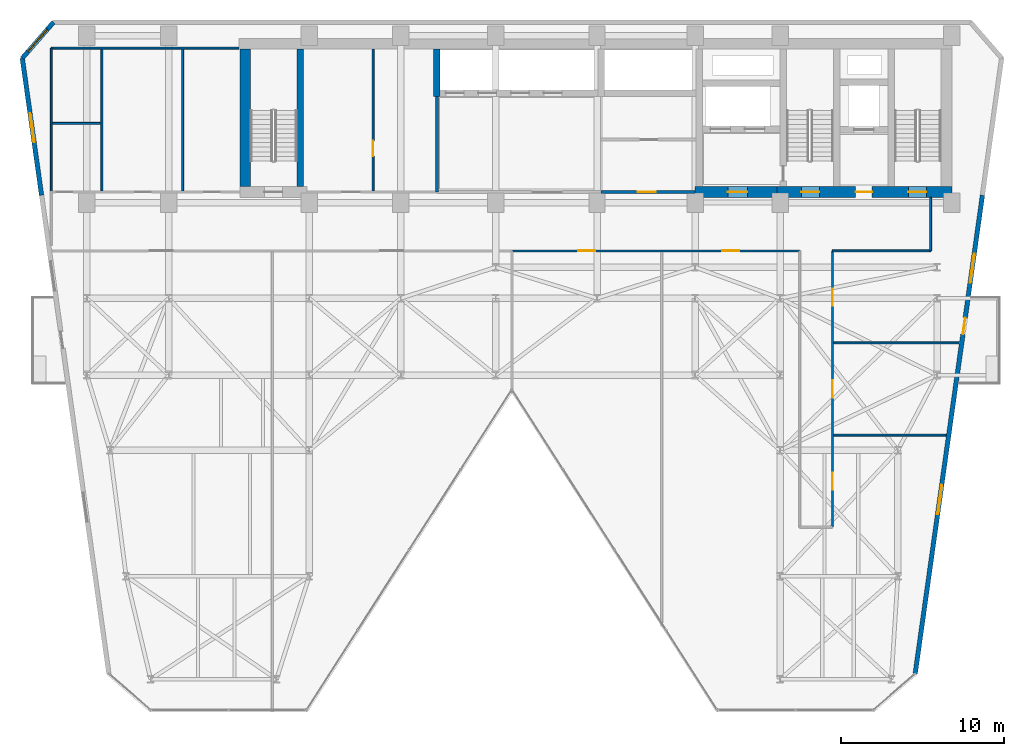
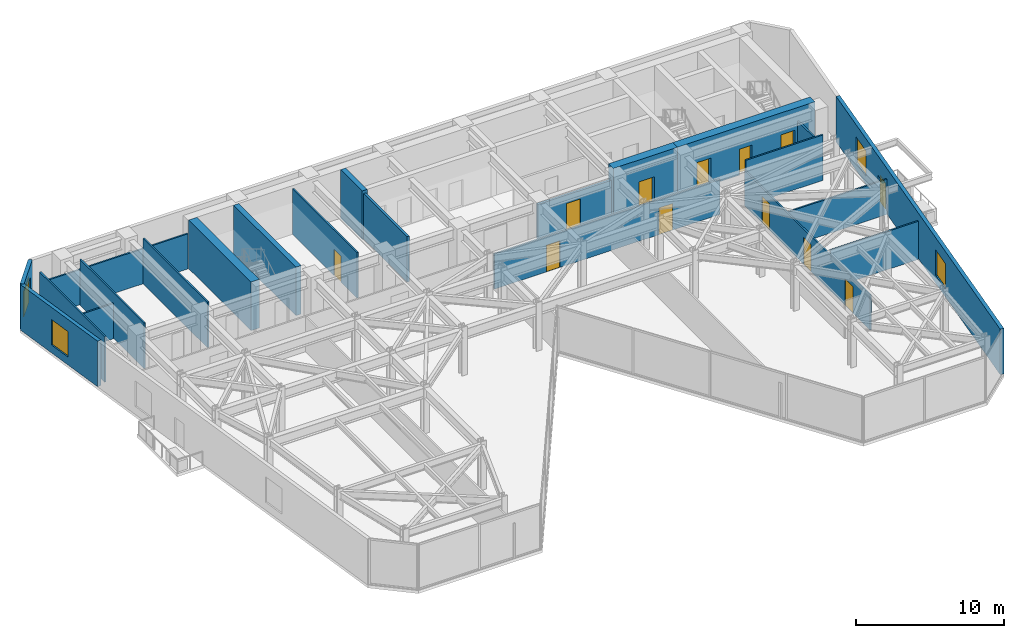
# One storey, part 16 of 20: 22 walls, 12 doors, 4 windows, 16 openings.
"""IFC4 building model written with IfcOpenShell, lengths in metres."""

from ifc_helpers import new_model, si_unit, direction, frame, frame_2d, origin, place, context, subcontext, project, spatial, rectangle, extrude, material, layer, layer_set, type_object, element, fill, save


model = new_model("IFC4")

# Units and contexts
model_context = context("Model", 3, precision=1e-05, world=origin(), true_north=direction((0.0, 1.0)))
body_context = subcontext(model_context, "Body", "Model", "MODEL_VIEW")
ifc_project = project(units=[si_unit("LENGTHUNIT", "METRE"), si_unit("AREAUNIT", "SQUARE_METRE"), si_unit("VOLUMEUNIT", "CUBIC_METRE"), si_unit("PLANEANGLEUNIT", "RADIAN"), si_unit("MASSUNIT", "GRAM", prefix="KILO")], contexts=[model_context])

# Site, building, storey
site_placement = place(None, origin())
site = spatial("IfcSite", under=ifc_project, at=site_placement, CompositionType="ELEMENT")
building_placement = place(site_placement, origin())
building = spatial("IfcBuilding", under=site, at=building_placement, Name="Kravanh Interchange Tower", CompositionType="ELEMENT")
storey_placement = place(building_placement, frame((0.0, 0.0, 104.0)))
storey = spatial("IfcBuildingStorey", under=building, at=storey_placement, Name="L24", CompositionType="ELEMENT", Elevation=104.0)

# Wall, opening, door
ifc_material_1 = material(Name="Double Acoustic Gypsum Board and Mineral Wool")
ifc_layer_1 = layer(ifc_material_1, 0.1201171875)
ifc_layer_set_1 = layer_set([ifc_layer_1], Name="Acoustic Office Drywall Partition 120mm")
wall_type_1 = type_object("IfcWallType", Name="Acoustic Office Drywall Partition 120mm", PredefinedType="PARTITIONING", material=ifc_layer_set_1)
wall_1_placement = place(storey_placement, frame((31.10009765625, 38.068115234375, 0.0), z_axis=(0.0, 0.0, 1.0), x_axis=(0.0, 1.0, 0.0)))
wall_1 = element("IfcWall", 1, at=wall_1_placement, inside=storey, type_object=wall_type_1, Name="L24 Interior Partition 5", PredefinedType="PARTITIONING", context=body_context, shape_type="SweptSolid", body=[
    extrude(rectangle(XDim=8.673828125, YDim=0.1201171875, at=frame_2d((4.3369140625, 0.0))), origin(), (0.0, 0.0, 1.0), 3.75),
])
opening_1_placement = place(wall_1_placement, frame((2.115966796875, 0.0, 0.0)))
opening_1 = element("IfcOpeningElement", 2, at=opening_1_placement, cuts=wall_1, Name="Opening D-95", PredefinedType="OPENING", context=body_context, shape_type="SweptSolid", body=[
    extrude(rectangle(XDim=0.949951171875, YDim=2.14990234375, at=frame_2d((0.47509765625, 1.074951171875))), frame((0.0, 0.070068359375, 0.0), z_axis=(0.0, -1.0, 0.0), x_axis=(1.0, 0.0, 0.0)), (0.0, 0.0, 1.0), 0.14013671875),
])
ifc_material_2 = material(Name="Laminate Solid-Core Timber", Category="wood")
door_type_1 = type_object("IfcDoorType", Name="Accessible Restroom Door 950x2150", OperationType="NOTDEFINED", PredefinedType="DOOR", material=ifc_material_2)
door_1_placement = place(opening_1_placement, origin())
door_1 = element("IfcDoor", 3, at=door_1_placement, inside=storey, type_object=door_type_1, Name="L24 Reclaimed Archive Inner Door", OperationType="SINGLE_SWING_LEFT", OverallHeight=2.14990234375, OverallWidth=0.949951171875, PredefinedType="DOOR", context=body_context, shape_type="SweptSolid", body=[
    extrude(rectangle(XDim=0.949951171875, YDim=2.14990234375, at=frame_2d((0.47509765625, 1.074951171875))), frame((0.0, 0.02490234375, 0.0), z_axis=(0.0, -1.0, 0.0), x_axis=(1.0, 0.0, 0.0)), (0.0, 0.0, 1.0), 0.050048828125),
])
fill(opening_1, door_1)

# Walls
wall_2_placement = place(storey_placement, frame((11.419921875, 38.0, 0.0), z_axis=(0.0, 0.0, 1.0), x_axis=(0.0, 1.0, 0.0)))
element("IfcWall", 4, at=wall_2_placement, inside=storey, type_object=wall_type_1, Name="L24 Restroom West Enclosure 8", PredefinedType="PARTITIONING", context=body_context, shape_type="SweptSolid", body=[
    extrude(rectangle(XDim=8.800048828125, YDim=0.1201171875, at=frame_2d((4.39990234375, 0.0))), origin(), (0.0, 0.0, 1.0), 3.75),
])
wall_3_placement = place(storey_placement, frame((11.419921875, 46.800048828125, 0.0), z_axis=(0.0, 0.0, 1.0), x_axis=(1.0, 0.0, 0.0)))
element("IfcWall", 5, at=wall_3_placement, inside=storey, type_object=wall_type_1, Name="L24 Restroom North Enclosure 9", PredefinedType="PARTITIONING", context=body_context, shape_type="SweptSolid", body=[
    extrude(rectangle(XDim=11.47998046875, YDim=0.1201171875, at=frame_2d((5.739990234375, 0.0))), origin(), (0.0, 0.0, 1.0), 2.89404296875),
])
for number, where, z_axis, x_axis, name in (
    (6, (14.52001953125, 38.068115234375, 0.0), (0.0, 0.0, 1.0), (0.0, 1.0, 0.0), "L24 Interior Partition 10"),
    (7, (19.449951171875, 38.068115234375, 0.0), (0.0, 0.0, 1.0), (0.0, 1.0, 0.0), "L24 Interior Partition 11"),
):
    element("IfcWall", number, at=place(storey_placement, frame(where, z_axis=z_axis, x_axis=x_axis)), inside=storey, type_object=wall_type_1, Name=name, PredefinedType="PARTITIONING", context=body_context, shape_type="SweptSolid", body=[
        extrude(rectangle(XDim=8.663818359375, YDim=0.1201171875, at=frame_2d((4.33203125, 0.0))), origin(), (0.0, 0.0, 1.0), 3.75),
    ])
wall_4_placement = place(storey_placement, frame((11.488037109375, 42.199951171875, 0.0), z_axis=(0.0, 0.0, 1.0), x_axis=(1.0, 0.0, 0.0)))
element("IfcWall", 8, at=wall_4_placement, inside=storey, type_object=wall_type_1, Name="L24 Interior Partition 12", PredefinedType="PARTITIONING", context=body_context, shape_type="SweptSolid", body=[
    extrude(rectangle(XDim=2.9638671875, YDim=0.1201171875, at=frame_2d((1.48193359375, 0.0))), origin(), (0.0, 0.0, 1.0), 2.89404296875),
])

# Wall, openings, doors
wall_5_placement = place(storey_placement, frame((39.60009765625, 34.39990234375, 0.0), z_axis=(0.0, 0.0, 1.0), x_axis=(1.0, 0.0, 0.0)))
wall_5 = element("IfcWall", 9, at=wall_5_placement, inside=storey, type_object=wall_type_1, Name="L24 Interior Partition 14", PredefinedType="PARTITIONING", context=body_context, shape_type="SweptSolid", body=[
    extrude(rectangle(XDim=17.599853515625, YDim=0.1201171875, at=frame_2d((8.7998046875, 0.0))), origin(), (0.0, 0.0, 1.0), 2.89404296875),
])
opening_2_placement = place(wall_5_placement, frame((4.050048828125, 0.0, 0.0)))
opening_2 = element("IfcOpeningElement", 10, at=opening_2_placement, cuts=wall_5, Name="Opening D-105", PredefinedType="OPENING", context=body_context, shape_type="SweptSolid", body=[
    extrude(rectangle(XDim=1.050048828125, YDim=2.199951171875, at=frame_2d((0.52490234375, 1.10009765625))), frame((0.0, 0.070068359375, 0.0), z_axis=(0.0, -1.0, 0.0), x_axis=(1.0, 0.0, 0.0)), (0.0, 0.0, 1.0), 0.14013671875),
])
opening_3_placement = place(wall_5_placement, frame((12.85009765625, 0.0, 0.0)))
opening_3 = element("IfcOpeningElement", 11, at=opening_3_placement, cuts=wall_5, Name="Opening D-105", PredefinedType="OPENING", context=body_context, shape_type="SweptSolid", body=[
    extrude(rectangle(XDim=1.050048828125, YDim=2.199951171875, at=frame_2d((0.52490234375, 1.10009765625))), frame((0.0, 0.070068359375, 0.0), z_axis=(0.0, -1.0, 0.0), x_axis=(1.0, 0.0, 0.0)), (0.0, 0.0, 1.0), 0.14013671875),
])
ifc_material_3 = material(Name="Acoustic Glazed Oak and Aluminium", Category="aluminium")
door_type_2 = type_object("IfcDoorType", Name="Office Workplace Door 1050x2200", OperationType="NOTDEFINED", PredefinedType="DOOR", material=ifc_material_3)
door_2_placement = place(opening_2_placement, origin())
door_2 = element("IfcDoor", 12, at=door_2_placement, inside=storey, type_object=door_type_2, Name="L24 Boardroom Central Door", OperationType="SINGLE_SWING_RIGHT", OverallHeight=2.199951171875, OverallWidth=1.050048828125, PredefinedType="DOOR", context=body_context, shape_type="SweptSolid", body=[
    extrude(rectangle(XDim=1.050048828125, YDim=2.199951171875, at=frame_2d((0.52490234375, 1.10009765625))), frame((0.0, 0.02490234375, 0.0), z_axis=(0.0, -1.0, 0.0), x_axis=(1.0, 0.0, 0.0)), (0.0, 0.0, 1.0), 0.050048828125),
])
fill(opening_2, door_2)
door_3_placement = place(opening_3_placement, origin())
door_3 = element("IfcDoor", 13, at=door_3_placement, inside=storey, type_object=door_type_2, Name="L24 Client Meeting Room B Door", OperationType="SINGLE_SWING_LEFT", OverallHeight=2.199951171875, OverallWidth=1.050048828125, PredefinedType="DOOR", context=body_context, shape_type="SweptSolid", body=[
    extrude(rectangle(XDim=1.050048828125, YDim=2.199951171875, at=frame_2d((0.52490234375, 1.10009765625))), frame((0.0, 0.02490234375, 0.0), z_axis=(0.0, -1.0, 0.0), x_axis=(1.0, 0.0, 0.0)), (0.0, 0.0, 1.0), 0.050048828125),
])
fill(opening_3, door_3)

# Walls
wall_6_placement = place(storey_placement, frame((59.199951171875, 34.39990234375, 0.0), z_axis=(0.0, 0.0, 1.0), x_axis=(1.0, 0.0, 0.0)))
element("IfcWall", 14, at=wall_6_placement, inside=storey, type_object=wall_type_1, Name="L24 Interior Partition 15", PredefinedType="PARTITIONING", context=body_context, shape_type="SweptSolid", body=[
    extrude(rectangle(XDim=6.0, YDim=0.1201171875, at=frame_2d((3.0, 0.0))), origin(), (0.0, 0.0, 1.0), 3.75),
])
wall_7_placement = place(storey_placement, frame((65.199951171875, 34.39990234375, 0.0), z_axis=(0.0, 0.0, 1.0), x_axis=(0.0, 1.0, 0.0)))
element("IfcWall", 15, at=wall_7_placement, inside=storey, type_object=wall_type_1, Name="L24 Interior Partition 17", PredefinedType="PARTITIONING", context=body_context, shape_type="SweptSolid", body=[
    extrude(rectangle(XDim=3.26708984375, YDim=0.1201171875, at=frame_2d((1.633544921875, 0.0))), origin(), (0.0, 0.0, 1.0), 2.89404296875),
])

# Wall, openings, doors
wall_8_placement = place(storey_placement, frame((59.199951171875, 17.5, 0.0), z_axis=(0.0, 0.0, 1.0), x_axis=(0.0, 1.0, 0.0)))
wall_8 = element("IfcWall", 16, at=wall_8_placement, inside=storey, type_object=wall_type_1, Name="L24 Interior Partition 19", PredefinedType="PARTITIONING", context=body_context, shape_type="SweptSolid", body=[
    extrude(rectangle(XDim=16.89990234375, YDim=0.1201171875, at=frame_2d((8.449951171875, 0.0))), origin(), (0.0, 0.0, 1.0), 2.89404296875),
])
opening_4_placement = place(wall_8_placement, frame((2.2900390625, 0.0, 0.0)))
opening_4 = element("IfcOpeningElement", 17, at=opening_4_placement, cuts=wall_8, Name="Opening D-105", PredefinedType="OPENING", context=body_context, shape_type="SweptSolid", body=[
    extrude(rectangle(XDim=1.050048828125, YDim=2.199951171875, at=frame_2d((0.52490234375, 1.10009765625))), frame((0.0, 0.070068359375, 0.0), z_axis=(0.0, -1.0, 0.0), x_axis=(1.0, 0.0, 0.0)), (0.0, 0.0, 1.0), 0.14013671875),
])
opening_5_placement = place(wall_8_placement, frame((7.925048828125, 0.0, 0.0)))
opening_5 = element("IfcOpeningElement", 18, at=opening_5_placement, cuts=wall_8, Name="Opening D-105", PredefinedType="OPENING", context=body_context, shape_type="SweptSolid", body=[
    extrude(rectangle(XDim=1.050048828125, YDim=2.199951171875, at=frame_2d((0.52490234375, 1.10009765625))), frame((0.0, 0.070068359375, 0.0), z_axis=(0.0, -1.0, 0.0), x_axis=(1.0, 0.0, 0.0)), (0.0, 0.0, 1.0), 0.14013671875),
])
opening_6_placement = place(wall_8_placement, frame((13.534912109375, 0.0, 0.0)))
opening_6 = element("IfcOpeningElement", 19, at=opening_6_placement, cuts=wall_8, Name="Opening D-105", PredefinedType="OPENING", context=body_context, shape_type="SweptSolid", body=[
    extrude(rectangle(XDim=1.050048828125, YDim=2.199951171875, at=frame_2d((0.52490234375, 1.10009765625))), frame((0.0, 0.070068359375, 0.0), z_axis=(0.0, -1.0, 0.0), x_axis=(1.0, 0.0, 0.0)), (0.0, 0.0, 1.0), 0.14013671875),
])
door_4_placement = place(opening_4_placement, origin())
door_4 = element("IfcDoor", 20, at=door_4_placement, inside=storey, type_object=door_type_2, Name="L24 SE Huddle Meeting C Door", OperationType="SINGLE_SWING_LEFT", OverallHeight=2.199951171875, OverallWidth=1.050048828125, PredefinedType="DOOR", context=body_context, shape_type="SweptSolid", body=[
    extrude(rectangle(XDim=1.050048828125, YDim=2.199951171875, at=frame_2d((0.52490234375, 1.10009765625))), frame((0.0, 0.02490234375, 0.0), z_axis=(0.0, -1.0, 0.0), x_axis=(1.0, 0.0, 0.0)), (0.0, 0.0, 1.0), 0.050048828125),
])
fill(opening_4, door_4)
door_5_placement = place(opening_5_placement, origin())
door_5 = element("IfcDoor", 21, at=door_5_placement, inside=storey, type_object=door_type_2, Name="L24 East Balcony Office Door", OperationType="SINGLE_SWING_RIGHT", OverallHeight=2.199951171875, OverallWidth=1.050048828125, PredefinedType="DOOR", context=body_context, shape_type="SweptSolid", body=[
    extrude(rectangle(XDim=1.050048828125, YDim=2.199951171875, at=frame_2d((0.52490234375, 1.10009765625))), frame((0.0, 0.02490234375, 0.0), z_axis=(0.0, -1.0, 0.0), x_axis=(1.0, 0.0, 0.0)), (0.0, 0.0, 1.0), 0.050048828125),
])
fill(opening_5, door_5)
door_6_placement = place(opening_6_placement, origin())
door_6 = element("IfcDoor", 22, at=door_6_placement, inside=storey, type_object=door_type_2, Name="L24 Pantry Kitchenette Door", OperationType="SINGLE_SWING_LEFT", OverallHeight=2.199951171875, OverallWidth=1.050048828125, PredefinedType="DOOR", context=body_context, shape_type="SweptSolid", body=[
    extrude(rectangle(XDim=1.050048828125, YDim=2.199951171875, at=frame_2d((0.52490234375, 1.10009765625))), frame((0.0, 0.02490234375, 0.0), z_axis=(0.0, -1.0, 0.0), x_axis=(1.0, 0.0, 0.0)), (0.0, 0.0, 1.0), 0.050048828125),
])
fill(opening_6, door_6)

# Walls
wall_9_placement = place(storey_placement, frame((59.26806640625, 23.1298828125, 0.0), z_axis=(0.0, 0.0, 1.0), x_axis=(1.0, 0.0, 0.0)))
element("IfcWall", 23, at=wall_9_placement, inside=storey, type_object=wall_type_1, Name="L24 Interior Partition 21", PredefinedType="PARTITIONING", context=body_context, shape_type="SweptSolid", body=[
    extrude(rectangle(XDim=6.87841796875, YDim=0.1201171875, at=frame_2d((3.439208984375, 0.0))), origin(), (0.0, 0.0, 1.0), 3.14208984375),
])
wall_10_placement = place(storey_placement, frame((59.26806640625, 28.77001953125, 0.0), z_axis=(0.0, 0.0, 1.0), x_axis=(1.0, 0.0, 0.0)))
element("IfcWall", 24, at=wall_10_placement, inside=storey, type_object=wall_type_1, Name="L24 Interior Partition 22", PredefinedType="PARTITIONING", context=body_context, shape_type="SweptSolid", body=[
    extrude(rectangle(XDim=7.671142578125, YDim=0.1201171875, at=frame_2d((3.83544921875, 0.0))), origin(), (0.0, 0.0, 1.0), 2.89404296875),
])

# Wall, openings, doors
ifc_material_4 = material(Name="Concrete C70/85", Category="concrete")
ifc_layer_2 = layer(ifc_material_4, 0.64990234375)
ifc_layer_set_2 = layer_set([ifc_layer_2], Name="Core Shear Wall Concrete C70/85 650mm")
wall_type_2 = type_object("IfcWallType", Name="Core Shear Wall Concrete C70/85 650mm", PredefinedType="SHEAR", material=ifc_layer_set_2)
wall_11_placement = place(storey_placement, frame((55.800048828125, 38.0, 0.0), z_axis=(0.0, 0.0, 1.0), x_axis=(1.0, 0.0, 0.0)))
wall_11 = element("IfcWall", 25, at=wall_11_placement, inside=storey, type_object=wall_type_2, Name="L24 East Core South Shear Wall", PredefinedType="SHEAR", context=body_context, shape_type="SweptSolid", body=[
    extrude(rectangle(XDim=10.699951171875, YDim=0.64990234375, at=frame_2d((5.35009765625, 0.0))), origin(), (0.0, 0.0, 1.0), 4.0),
])
opening_7_placement = place(wall_11_placement, frame((1.5, 0.0, 0.0)))
opening_7 = element("IfcOpeningElement", 26, at=opening_7_placement, cuts=wall_11, Name="Opening D-STAIR-110", PredefinedType="OPENING", context=body_context, shape_type="SweptSolid", body=[
    extrude(rectangle(XDim=1.10009765625, YDim=2.199951171875, at=frame_2d((0.550048828125, 1.10009765625))), frame((0.0, 0.3349609375, 0.0), z_axis=(0.0, -1.0, 0.0), x_axis=(1.0, 0.0, 0.0)), (0.0, 0.0, 1.0), 0.669921875),
])
opening_8_placement = place(wall_11_placement, frame((4.820068359375, 0.0, 0.0)))
opening_8 = element("IfcOpeningElement", 27, at=opening_8_placement, cuts=wall_11, Name="Opening D-HOTEL-100", PredefinedType="OPENING", context=body_context, shape_type="SweptSolid", body=[
    extrude(rectangle(XDim=1.0, YDim=2.14990234375, at=frame_2d((0.5, 1.074951171875))), frame((0.0, 0.3349609375, 0.0), z_axis=(0.0, -1.0, 0.0), x_axis=(1.0, 0.0, 0.0)), (0.0, 0.0, 1.0), 0.669921875),
])
opening_9_placement = place(wall_11_placement, frame((8.050048828125, 0.0, 0.0)))
opening_9 = element("IfcOpeningElement", 28, at=opening_9_placement, cuts=wall_11, Name="Opening D-STAIR-110", PredefinedType="OPENING", context=body_context, shape_type="SweptSolid", body=[
    extrude(rectangle(XDim=1.10009765625, YDim=2.199951171875, at=frame_2d((0.550048828125, 1.10009765625))), frame((0.0, 0.3349609375, 0.0), z_axis=(0.0, -1.0, 0.0), x_axis=(1.0, 0.0, 0.0)), (0.0, 0.0, 1.0), 0.669921875),
])
ifc_material_5 = material(Name="Structural Steel S355", Category="steel")
door_type_3 = type_object("IfcDoorType", Name="Fire-Rated Exit Stair Door 1100x2200", OperationType="NOTDEFINED", PredefinedType="DOOR", material=ifc_material_5)
door_7_placement = place(opening_7_placement, origin())
door_7 = element("IfcDoor", 29, at=door_7_placement, inside=storey, type_object=door_type_3, Name="L24 Exit Stair ST2 Door", OperationType="SINGLE_SWING_RIGHT", OverallHeight=2.199951171875, OverallWidth=1.10009765625, PredefinedType="DOOR", context=body_context, shape_type="SweptSolid", body=[
    extrude(rectangle(XDim=1.10009765625, YDim=2.199951171875, at=frame_2d((0.550048828125, 1.10009765625))), frame((0.0, 0.02490234375, 0.0), z_axis=(0.0, -1.0, 0.0), x_axis=(1.0, 0.0, 0.0)), (0.0, 0.0, 1.0), 0.050048828125),
])
fill(opening_7, door_7)
door_8_placement = place(opening_9_placement, origin())
door_8 = element("IfcDoor", 30, at=door_8_placement, inside=storey, type_object=door_type_3, Name="L24 Exit Stair ST1 Door", OperationType="SINGLE_SWING_RIGHT", OverallHeight=2.199951171875, OverallWidth=1.10009765625, PredefinedType="DOOR", context=body_context, shape_type="SweptSolid", body=[
    extrude(rectangle(XDim=1.10009765625, YDim=2.199951171875, at=frame_2d((0.550048828125, 1.10009765625))), frame((0.0, 0.02490234375, 0.0), z_axis=(0.0, -1.0, 0.0), x_axis=(1.0, 0.0, 0.0)), (0.0, 0.0, 1.0), 0.050048828125),
])
fill(opening_9, door_8)
ifc_material_6 = material(Name="Fire-Rated Solid Timber Leaf", Category="wood")
door_type_4 = type_object("IfcDoorType", Name="Fire-Rated Suite Entrance Door 1000x2150", OperationType="NOTDEFINED", PredefinedType="DOOR", material=ifc_material_6)
door_9_placement = place(opening_8_placement, origin())
door_9 = element("IfcDoor", 31, at=door_9_placement, inside=storey, type_object=door_type_4, Name="L24 Service Lift Lobby Door", OperationType="SINGLE_SWING_RIGHT", OverallHeight=2.14990234375, OverallWidth=1.0, PredefinedType="DOOR", context=body_context, shape_type="SweptSolid", body=[
    extrude(rectangle(XDim=1.0, YDim=2.14990234375, at=frame_2d((0.5, 1.074951171875))), frame((0.0, 0.02490234375, 0.0), z_axis=(0.0, -1.0, 0.0), x_axis=(1.0, 0.0, 0.0)), (0.0, 0.0, 1.0), 0.050048828125),
])
fill(opening_8, door_9)

# Wall, opening, door
wall_12_placement = place(storey_placement, frame((50.800048828125, 38.0, 0.0), z_axis=(0.0, 0.0, 1.0), x_axis=(1.0, 0.0, 0.0)))
wall_12 = element("IfcWall", 32, at=wall_12_placement, inside=storey, type_object=wall_type_2, Name="L24 Firefighting Lobby South Shear Wall", PredefinedType="SHEAR", context=body_context, shape_type="SweptSolid", body=[
    extrude(rectangle(XDim=5.0, YDim=0.64990234375, at=frame_2d((2.5, 0.0))), origin(), (0.0, 0.0, 1.0), 4.0),
])
opening_10_placement = place(wall_12_placement, frame((2.0, 0.0, 0.0)))
opening_10 = element("IfcOpeningElement", 33, at=opening_10_placement, cuts=wall_12, Name="Opening D-FSAE-120", PredefinedType="OPENING", context=body_context, shape_type="SweptSolid", body=[
    extrude(rectangle(XDim=1.199951171875, YDim=2.199951171875, at=frame_2d((0.60009765625, 1.10009765625))), frame((0.0, 0.3349609375, 0.0), z_axis=(0.0, -1.0, 0.0), x_axis=(1.0, 0.0, 0.0)), (0.0, 0.0, 1.0), 0.669921875),
])
ifc_material_7 = material(Name="Structural Steel S355", Category="steel")
door_type_5 = type_object("IfcDoorType", Name="Fire-Rated Refuge and FSAE Door 1200x2200", OperationType="NOTDEFINED", PredefinedType="DOOR", material=ifc_material_7)
door_10_placement = place(opening_10_placement, origin())
door_10 = element("IfcDoor", 34, at=door_10_placement, inside=storey, type_object=door_type_5, Name="L24 Firefighting Lobby Corridor Door", OperationType="SINGLE_SWING_RIGHT", OverallHeight=2.199951171875, OverallWidth=1.199951171875, PredefinedType="DOOR", context=body_context, shape_type="SweptSolid", body=[
    extrude(rectangle(XDim=1.199951171875, YDim=2.199951171875, at=frame_2d((0.60009765625, 1.10009765625))), frame((0.0, 0.02490234375, 0.0), z_axis=(0.0, -1.0, 0.0), x_axis=(1.0, 0.0, 0.0)), (0.0, 0.0, 1.0), 0.050048828125),
])
fill(opening_10, door_10)

# Walls
wall_13_placement = place(storey_placement, frame((23.27490234375, 38.324951171875, 0.0), z_axis=(0.0, 0.0, 1.0), x_axis=(0.0, 1.0, 0.0)))
element("IfcWall", 35, at=wall_13_placement, inside=storey, type_object=wall_type_2, Name="L24 Stair ST3 West Shear Wall", PredefinedType="SHEAR", context=body_context, shape_type="SweptSolid", body=[
    extrude(rectangle(XDim=8.425048828125, YDim=0.64990234375, at=frame_2d((4.21240234375, 0.0))), origin(), (0.0, 0.0, 1.0), 4.0),
])
ifc_material_8 = material(Name="Concrete C80/95", Category="concrete")
ifc_layer_3 = layer(ifc_material_8, 0.39990234375)
ifc_layer_set_3 = layer_set([ifc_layer_3], Name="Core Shear Wall Concrete C80/95 400mm")
wall_type_3 = type_object("IfcWallType", Name="Core Shear Wall Concrete C80/95 400mm", PredefinedType="SHEAR", material=ifc_layer_set_3)
wall_14_placement = place(storey_placement, frame((35.0, 43.85009765625, 0.0), z_axis=(0.0, 0.0, 1.0), x_axis=(0.0, 1.0, 0.0)))
element("IfcWall", 36, at=wall_14_placement, inside=storey, type_object=wall_type_3, Name="L24 Mid-Rise Lift Shaft West Wall", PredefinedType="SHEAR", context=body_context, shape_type="SweptSolid", body=[
    extrude(rectangle(XDim=2.89990234375, YDim=0.39990234375, at=frame_2d((1.449951171875, 0.0))), origin(), (0.0, 0.0, 1.0), 4.0),
])
wall_15_placement = place(storey_placement, frame((26.64990234375, 38.324951171875, 0.0), z_axis=(0.0, 0.0, 1.0), x_axis=(0.0, 1.0, 0.0)))
element("IfcWall", 37, at=wall_15_placement, inside=storey, type_object=wall_type_3, Name="L24 Stair ST3 East Shear Wall", PredefinedType="SHEAR", context=body_context, shape_type="SweptSolid", body=[
    extrude(rectangle(XDim=8.425048828125, YDim=0.39990234375, at=frame_2d((4.21240234375, 0.0))), origin(), (0.0, 0.0, 1.0), 4.0),
])

# Wall, opening, window
ifc_material_9 = material(Name="Insulated Precast Concrete C40/50 with Bronze Cladding", Category="concrete")
ifc_layer_4 = layer(ifc_material_9, 0.280029296875)
ifc_layer_set_4 = layer_set([ifc_layer_4], Name="Exterior Insulated Concrete C40/50 Bronze Spandrel Wall 280mm")
wall_type_4 = type_object("IfcWallType", Name="Exterior Insulated Concrete C40/50 Bronze Spandrel Wall 280mm", PredefinedType="STANDARD", material=ifc_layer_set_4)
wall_16_placement = place(storey_placement, frame((10.824951171875, 37.800048828125, 0.0), z_axis=(0.0, 0.0, 1.0), x_axis=(-0.139180610108, 0.990267013371, 0.0)))
wall_16 = element("IfcWall", 38, at=wall_16_placement, inside=storey, type_object=wall_type_4, Name="L24 Exterior Wall 2", PredefinedType="STANDARD", context=body_context, shape_type="SweptSolid", body=[
    extrude(rectangle(XDim=8.46728515625, YDim=0.280029296875, at=frame_2d((4.233642578125, 0.0))), origin(), (0.0, 0.0, 1.0), 3.75),
])
opening_11_placement = place(wall_16_placement, frame((3.273193359375, 0.0, 0.64990234375)))
opening_11 = element("IfcOpeningElement", 39, at=opening_11_placement, cuts=wall_16, Name="Opening WN-180X210", PredefinedType="OPENING", context=body_context, shape_type="SweptSolid", body=[
    extrude(rectangle(XDim=1.800048828125, YDim=2.10009765625, at=frame_2d((0.89990234375, 1.050048828125))), frame((0.0, 0.14990234375, 0.0), z_axis=(0.0, -1.0, 0.0), x_axis=(1.0, 0.0, 0.0)), (0.0, 0.0, 1.0), 0.300048828125),
])
ifc_material_10 = material(Name="Thermally Broken Bronze Aluminium and Low-E Glass", Category="aluminium")
window_type = type_object("IfcWindowType", Name="Tower Pier Window 1800x2100", PartitioningType="SINGLE_PANEL", PredefinedType="WINDOW", material=ifc_material_10)
window_1_placement = place(opening_11_placement, origin())
window_1 = element("IfcWindow", 40, at=window_1_placement, inside=storey, type_object=window_type, Name="L24 Corner Window 2", OverallHeight=2.10009765625, OverallWidth=1.800048828125, PartitioningType="SINGLE_PANEL", PredefinedType="WINDOW", context=body_context, shape_type="SweptSolid", body=[
    extrude(rectangle(XDim=1.800048828125, YDim=2.10009765625, at=frame_2d((0.89990234375, 1.050048828125))), frame((0.0, 0.030029296875, 0.0), z_axis=(0.0, -1.0, 0.0), x_axis=(1.0, 0.0, 0.0)), (0.0, 0.0, 1.0), 0.06005859375),
])
fill(opening_11, window_1)

wall_17_placement = place(storey_placement, frame((9.646484375, 46.184814453125, 0.0), z_axis=(0.0, 0.0, 1.0), x_axis=(0.656070644076, 0.754699483226, 0.0)))
wall_17 = element("IfcWall", 41, at=wall_17_placement, inside=storey, type_object=wall_type_4, Name="L24 Exterior Wall 3", PredefinedType="STANDARD", context=body_context, shape_type="SweptSolid", body=[
    extrude(rectangle(XDim=2.908447265625, YDim=0.280029296875, at=frame_2d((1.4541015625, 0.0))), origin(), (0.0, 0.0, 1.0), 3.75),
])
opening_12_placement = place(wall_17_placement, frame((0.541015625, 0.0, 0.64990234375)))
opening_12 = element("IfcOpeningElement", 42, at=opening_12_placement, cuts=wall_17, Name="Opening WN-180X210", PredefinedType="OPENING", context=body_context, shape_type="SweptSolid", body=[
    extrude(rectangle(XDim=1.800048828125, YDim=2.10009765625, at=frame_2d((0.89990234375, 1.050048828125))), frame((0.0, 0.14990234375, 0.0), z_axis=(0.0, -1.0, 0.0), x_axis=(1.0, 0.0, 0.0)), (0.0, 0.0, 1.0), 0.300048828125),
])
window_2_placement = place(opening_12_placement, origin())
window_2 = element("IfcWindow", 43, at=window_2_placement, inside=storey, type_object=window_type, Name="L24 Corner Window 3", OverallHeight=2.10009765625, OverallWidth=1.800048828125, PartitioningType="SINGLE_PANEL", PredefinedType="WINDOW", context=body_context, shape_type="SweptSolid", body=[
    extrude(rectangle(XDim=1.800048828125, YDim=2.10009765625, at=frame_2d((0.89990234375, 1.050048828125))), frame((0.0, 0.030029296875, 0.0), z_axis=(0.0, -1.0, 0.0), x_axis=(1.0, 0.0, 0.0)), (0.0, 0.0, 1.0), 0.06005859375),
])
fill(opening_12, window_2)

# Wall, openings, door, windows
wall_18_placement = place(storey_placement, frame((68.375, 37.800048828125, 0.0), z_axis=(0.0, 0.0, 1.0), x_axis=(-0.13917001236, -0.990268502811, 0.0)))
wall_18 = element("IfcWall", 44, at=wall_18_placement, inside=storey, type_object=wall_type_4, Name="L24 Exterior Wall 7", PredefinedType="STANDARD", context=body_context, shape_type="SweptSolid", body=[
    extrude(rectangle(XDim=29.548828125, YDim=0.280029296875, at=frame_2d((14.7744140625, 0.0))), origin(), (0.0, 0.0, 1.0), 3.75),
])
opening_13_placement = place(wall_18_placement, frame((7.58056640625, 0.0, 0.0)))
opening_13 = element("IfcOpeningElement", 45, at=opening_13_placement, cuts=wall_18, Name="Opening ED-BAL100", PredefinedType="OPENING", context=body_context, shape_type="SweptSolid", body=[
    extrude(rectangle(XDim=1.0, YDim=2.14990234375, at=frame_2d((0.5, 1.074951171875))), frame((0.0, 0.14990234375, 0.0), z_axis=(0.0, -1.0, 0.0), x_axis=(1.0, 0.0, 0.0)), (0.0, 0.0, 1.0), 0.300048828125),
])
opening_14_placement = place(wall_18_placement, frame((3.611083984375, 0.0, 0.64990234375)))
opening_14 = element("IfcOpeningElement", 46, at=opening_14_placement, cuts=wall_18, Name="Opening WN-180X210", PredefinedType="OPENING", context=body_context, shape_type="SweptSolid", body=[
    extrude(rectangle(XDim=1.800048828125, YDim=2.10009765625, at=frame_2d((0.89990234375, 1.050048828125))), frame((0.0, 0.14990234375, 0.0), z_axis=(0.0, -1.0, 0.0), x_axis=(1.0, 0.0, 0.0)), (0.0, 0.0, 1.0), 0.300048828125),
])
opening_15_placement = place(wall_18_placement, frame((17.895751953125, 0.0, 0.64990234375)))
opening_15 = element("IfcOpeningElement", 47, at=opening_15_placement, cuts=wall_18, Name="Opening WN-180X210", PredefinedType="OPENING", context=body_context, shape_type="SweptSolid", body=[
    extrude(rectangle(XDim=1.800048828125, YDim=2.10009765625, at=frame_2d((0.89990234375, 1.050048828125))), frame((0.0, 0.14990234375, 0.0), z_axis=(0.0, -1.0, 0.0), x_axis=(1.0, 0.0, 0.0)), (0.0, 0.0, 1.0), 0.300048828125),
])
ifc_material_11 = material(Name="Thermally Broken Bronze Aluminium and Laminated Glass", Category="aluminium")
door_type_6 = type_object("IfcDoorType", Name="Balcony Glazed Door 1000x2150", OperationType="NOTDEFINED", PredefinedType="DOOR", material=ifc_material_11)
door_11_placement = place(opening_13_placement, origin())
door_11 = element("IfcDoor", 48, at=door_11_placement, inside=storey, type_object=door_type_6, Name="L24 E Tree Balcony Access Door", OperationType="SINGLE_SWING_LEFT", OverallHeight=2.14990234375, OverallWidth=1.0, PredefinedType="DOOR", context=body_context, shape_type="SweptSolid", body=[
    extrude(rectangle(XDim=1.0, YDim=2.14990234375, at=frame_2d((0.5, 1.074951171875))), frame((0.0, 0.02490234375, 0.0), z_axis=(0.0, -1.0, 0.0), x_axis=(1.0, 0.0, 0.0)), (0.0, 0.0, 1.0), 0.050048828125),
])
fill(opening_13, door_11)
window_3_placement = place(opening_14_placement, origin())
window_3 = element("IfcWindow", 49, at=window_3_placement, inside=storey, type_object=window_type, Name="L24 Facade Window 7A", OverallHeight=2.10009765625, OverallWidth=1.800048828125, PartitioningType="SINGLE_PANEL", PredefinedType="WINDOW", context=body_context, shape_type="SweptSolid", body=[
    extrude(rectangle(XDim=1.800048828125, YDim=2.10009765625, at=frame_2d((0.89990234375, 1.050048828125))), frame((0.0, 0.030029296875, 0.0), z_axis=(0.0, -1.0, 0.0), x_axis=(1.0, 0.0, 0.0)), (0.0, 0.0, 1.0), 0.06005859375),
])
fill(opening_14, window_3)
window_4_placement = place(opening_15_placement, origin())
window_4 = element("IfcWindow", 50, at=window_4_placement, inside=storey, type_object=window_type, Name="L24 Facade Window 7B", OverallHeight=2.10009765625, OverallWidth=1.800048828125, PartitioningType="SINGLE_PANEL", PredefinedType="WINDOW", context=body_context, shape_type="SweptSolid", body=[
    extrude(rectangle(XDim=1.800048828125, YDim=2.10009765625, at=frame_2d((0.89990234375, 1.050048828125))), frame((0.0, 0.030029296875, 0.0), z_axis=(0.0, -1.0, 0.0), x_axis=(1.0, 0.0, 0.0)), (0.0, 0.0, 1.0), 0.06005859375),
])
fill(opening_15, window_4)

# Wall, opening, door
ifc_material_12 = material(Name="Autoclaved Aerated Concrete C30/37 Blockwork", Category="masonry")
ifc_layer_5 = layer(ifc_material_12, 0.179931640625)
ifc_layer_set_5 = layer_set([ifc_layer_5], Name="Fire-Rated Lobby and Corridor Wall Concrete C30/37 180mm")
wall_type_5 = type_object("IfcWallType", Name="Fire-Rated Lobby and Corridor Wall Concrete C30/37 180mm", PredefinedType="STANDARD", material=ifc_layer_set_5)
wall_19_placement = place(storey_placement, frame((45.050048828125, 38.0, 0.0), z_axis=(0.0, 0.0, 1.0), x_axis=(1.0, 0.0, 0.0)))
wall_19 = element("IfcWall", 51, at=wall_19_placement, inside=storey, type_object=wall_type_5, Name="L24 Core South Enclosure 1", PredefinedType="STANDARD", context=body_context, shape_type="SweptSolid", body=[
    extrude(rectangle(XDim=5.75, YDim=0.179931640625, at=frame_2d((2.875, 0.0))), origin(), (0.0, 0.0, 1.0), 2.89404296875),
])
opening_16_placement = place(wall_19_placement, frame((2.240478515625, 0.0, 0.0)))
opening_16 = element("IfcOpeningElement", 52, at=opening_16_placement, cuts=wall_19, Name="Opening D-SHAFT-110", PredefinedType="OPENING", context=body_context, shape_type="SweptSolid", body=[
    extrude(rectangle(XDim=1.10009765625, YDim=2.199951171875, at=frame_2d((0.550048828125, 1.10009765625))), frame((0.0, 0.10009765625, 0.0), z_axis=(0.0, -1.0, 0.0), x_axis=(1.0, 0.0, 0.0)), (0.0, 0.0, 1.0), 0.199951171875),
])
ifc_material_13 = material(Name="Fire-Rated Composite Timber Leaf", Category="wood")
door_type_7 = type_object("IfcDoorType", Name="Fire-Rated Core Support Door 1100x2200", OperationType="NOTDEFINED", PredefinedType="DOOR", material=ifc_material_13)
door_12_placement = place(opening_16_placement, origin())
door_12 = element("IfcDoor", 53, at=door_12_placement, inside=storey, type_object=door_type_7, Name="L24 Core Telecom Room Door", OperationType="SINGLE_SWING_LEFT", OverallHeight=2.199951171875, OverallWidth=1.10009765625, PredefinedType="DOOR", context=body_context, shape_type="SweptSolid", body=[
    extrude(rectangle(XDim=1.10009765625, YDim=2.199951171875, at=frame_2d((0.550048828125, 1.10009765625))), frame((0.0, 0.02490234375, 0.0), z_axis=(0.0, -1.0, 0.0), x_axis=(1.0, 0.0, 0.0)), (0.0, 0.0, 1.0), 0.050048828125),
])
fill(opening_16, door_12)

# Wall
wall_20_placement = place(storey_placement, frame((35.0, 38.0, 0.0), z_axis=(0.0, 0.0, 1.0), x_axis=(0.0, 1.0, 0.0)))
element("IfcWall", 54, at=wall_20_placement, inside=storey, type_object=wall_type_5, Name="L24 Interior Partition 4", PredefinedType="STANDARD", context=body_context, shape_type="SweptSolid", body=[
    extrude(rectangle(XDim=5.85009765625, YDim=0.179931640625, at=frame_2d((2.925048828125, 0.0))), origin(), (0.0, 0.0, 1.0), 3.75),
])

save(model, "model.ifc")
